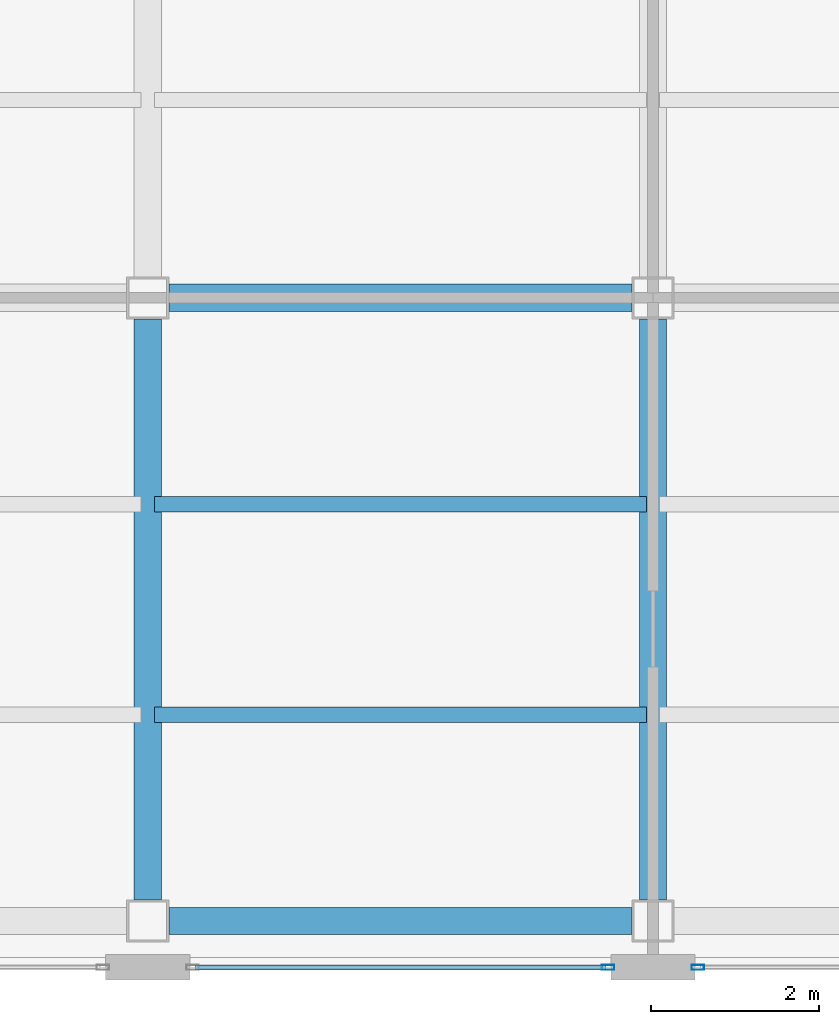
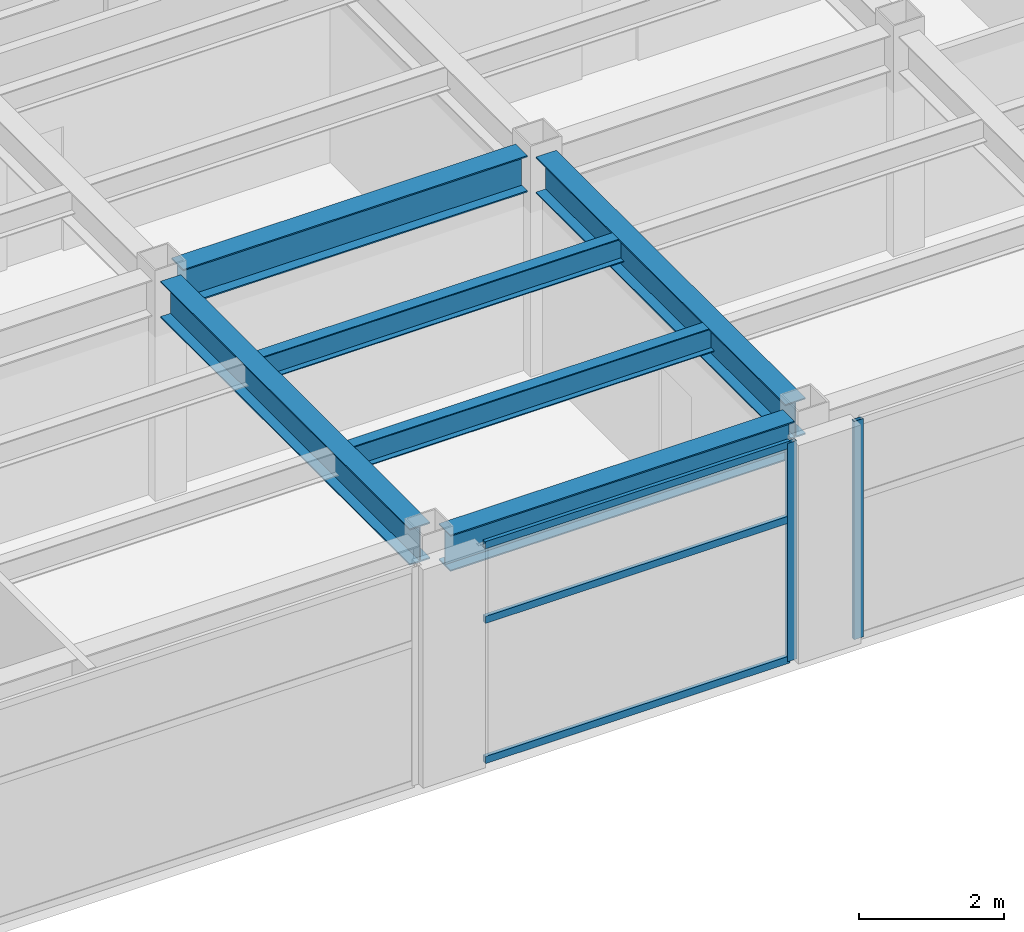
# One storey, part 5 of 15: 6 beams, 5 members, 2 elements without a shape of their own.
"""IFC4 building model written with IfcOpenShell, lengths in metres."""

from ifc_helpers import new_model, si_unit, direction, frame, origin, origin_2d, place, context, subcontext, project, spatial, hollow_rectangle, i_section, extrude, material, layer, layer_set, material_profile, profile_set, type_object, element, aggregate, save


model = new_model("IFC4")

# Units and contexts
model_context = context("Model", 3, precision=1e-05, world=origin(), true_north=direction((0.0, 1.0)))
body_context = subcontext(model_context, "Body", "Model", "MODEL_VIEW")
ifc_project = project(units=[si_unit("LENGTHUNIT", "METRE"), si_unit("AREAUNIT", "SQUARE_METRE"), si_unit("VOLUMEUNIT", "CUBIC_METRE"), si_unit("PLANEANGLEUNIT", "RADIAN"), si_unit("MASSUNIT", "GRAM", prefix="KILO")], contexts=[model_context])

# Site, building, storey
site_placement = place(None, origin())
site = spatial("IfcSite", under=ifc_project, at=site_placement, CompositionType="ELEMENT")
building_placement = place(site_placement, origin())
building = spatial("IfcBuilding", under=site, at=building_placement, Name="Mawjaban Terraces University", CompositionType="ELEMENT")
storey_placement = place(building_placement, frame((0.0, 0.0, 142.39990234375)))
storey = spatial("IfcBuildingStorey", under=building, at=storey_placement, Name="L34", CompositionType="ELEMENT", Elevation=142.39990234375)

# Beams
ifc_material_1 = material(Name="Steel ASTM A572 Grade 50", Category="steel")
ifc_material_profile_1 = material_profile(ifc_material_1, i_section(OverallWidth=0.324951171875, OverallDepth=0.615966796875, WebThickness=0.013916015625, FlangeThickness=0.021484375, at=origin_2d()), Name="W610X174")
ifc_profile_set_1 = profile_set([ifc_material_profile_1], Name="Steel ASTM A572 Grade 50")
beam_type_1 = type_object("IfcBeamType", Name="Beam_B_W610X174", PredefinedType="BEAM", material=ifc_profile_set_1)
for number, where, z_axis, x_axis, name in (
    (1, (46.25, 0.550048828125, 3.382080078125), (1.0, 0.0, 0.0), (0.0, 1.0, 0.0), "L34 Beam BM-L34-EW-02"),
    (2, (46.25, 7.949951171875, 3.382080078125), (1.0, 0.0, 0.0), (0.0, 1.0, 0.0), "L34 Beam BM-L34-EW-06"),
):
    element("IfcBeam", number, at=place(storey_placement, frame(where, z_axis=z_axis, x_axis=x_axis)), inside=storey, type_object=beam_type_1, Name=name, PredefinedType="BEAM", context=body_context, shape_type="SweptSolid", body=[
        extrude(i_section(OverallWidth=0.324951171875, OverallDepth=0.615966796875, WebThickness=0.013916015625, FlangeThickness=0.021484375, at=origin_2d()), origin(), (0.0, 0.0, 1.0), 5.5),
    ])
for number, where, z_axis, x_axis, name in (
    (3, (46.0, 0.800048828125, 3.382080078125), (0.0, 1.0, 0.0), (-1.0, 0.0, 0.0), "L34 Beam BM-L34-NS-12"),
    (4, (52.0, 0.800048828125, 3.382080078125), (0.0, 1.0, 0.0), (-1.0, 0.0, 0.0), "L34 Beam BM-L34-NS-14"),
):
    element("IfcBeam", number, at=place(storey_placement, frame(where, z_axis=z_axis, x_axis=x_axis)), inside=storey, type_object=beam_type_1, Name=name, PredefinedType="BEAM", context=body_context, shape_type="SweptSolid", body=[
        extrude(i_section(OverallWidth=0.324951171875, OverallDepth=0.615966796875, WebThickness=0.013916015625, FlangeThickness=0.021484375, at=origin_2d()), origin(), (0.0, 0.0, 1.0), 6.89990234375),
    ])
ifc_material_profile_2 = material_profile(ifc_material_1, i_section(OverallWidth=0.179931640625, OverallDepth=0.4130859375, WebThickness=0.009765625, FlangeThickness=0.01611328125, at=origin_2d()), Name="W410X74")
ifc_profile_set_2 = profile_set([ifc_material_profile_2], Name="Steel ASTM A572 Grade 50")
beam_type_2 = type_object("IfcBeamType", Name="Beam_J_W410X74", PredefinedType="JOIST", material=ifc_profile_set_2)
for number, where, z_axis, x_axis, name in (
    (5, (46.080078125, 3.0, 3.483154296875), (1.0, 0.0, 0.0), (0.0, 1.0, 0.0), "L34 Composite Joist JST-L34-02"),
    (6, (46.080078125, 5.5, 3.483154296875), (1.0, 0.0, 0.0), (0.0, 1.0, 0.0), "L34 Composite Joist JST-L34-06"),
):
    element("IfcBeam", number, at=place(storey_placement, frame(where, z_axis=z_axis, x_axis=x_axis)), inside=storey, type_object=beam_type_2, Name=name, PredefinedType="JOIST", context=body_context, shape_type="SweptSolid", body=[
        extrude(i_section(OverallWidth=0.179931640625, OverallDepth=0.4130859375, WebThickness=0.009765625, FlangeThickness=0.01611328125, at=origin_2d()), origin(), (0.0, 0.0, 1.0), 5.83984375),
    ])

# Curtain wall, member
ifc_material_2 = material(Name="Anodised aluminium 6063-T6 and solar-control low-E glass", Category="aluminium")
ifc_layer = layer(ifc_material_2, 0.1650390625)
ifc_layer_set = layer_set([ifc_layer], Name="Anodised aluminium 6063-T6 and solar-control low-E glass")
curtain_wall_type = type_object("IfcCurtainWallType", Name="CWSystem_04_EastWing", PredefinedType="NOTDEFINED", material=ifc_layer_set)
curtain_wall_1_placement = place(storey_placement, origin())
curtain_wall_1 = element("IfcCurtainWall", 7, at=curtain_wall_1_placement, inside=storey, type_object=curtain_wall_type, Name="L34 Curtain Wall CW-04 Run 1.3", PredefinedType="NOTDEFINED")
ifc_material_3 = material(Name="Anodised aluminium 6063-T6", Category="aluminium")
ifc_material_profile_3 = material_profile(ifc_material_3, hollow_rectangle(XDim=0.06005859375, YDim=0.14990234375, WallThickness=0.00390625, at=origin_2d()), Name="ALU150X60X4")
ifc_profile_set_3 = profile_set([ifc_material_profile_3], Name="Anodised aluminium 6063-T6")
member_type_1 = type_object("IfcMemberType", Name="Mullion_CW-04", PredefinedType="MULLION", material=ifc_profile_set_3)
member_1_placement = place(storey_placement, frame((51.467529296875, 0.0, 0.0), z_axis=(0.0, 0.0, 1.0), x_axis=(0.0, 1.0, 0.0)))
member_1 = element("IfcMember", 8, at=member_1_placement, type_object=member_type_1, Name="CW-04 mullion 2", PredefinedType="MULLION", context=body_context, shape_type="SweptSolid", body=[
    extrude(hollow_rectangle(XDim=0.06005859375, YDim=0.14990234375, WallThickness=0.00390625, at=origin_2d()), origin(), (0.0, 0.0, 1.0), 3.690185546875),
])

curtain_wall_2_placement = place(storey_placement, origin())
curtain_wall_2 = element("IfcCurtainWall", 9, at=curtain_wall_2_placement, inside=storey, type_object=curtain_wall_type, Name="L34 Curtain Wall CW-04 Run 1.4", PredefinedType="NOTDEFINED")
member_2_placement = place(storey_placement, frame((52.532470703125, 0.0, 0.0), z_axis=(0.0, 0.0, 1.0), x_axis=(0.0, 1.0, 0.0)))
member_2 = element("IfcMember", 10, at=member_2_placement, type_object=member_type_1, Name="CW-04 mullion 1", PredefinedType="MULLION", context=body_context, shape_type="SweptSolid", body=[
    extrude(hollow_rectangle(XDim=0.06005859375, YDim=0.14990234375, WallThickness=0.00390625, at=origin_2d()), origin(), (0.0, 0.0, 1.0), 3.690185546875),
])
aggregate(curtain_wall_2, [member_2])

# Member
ifc_material_profile_4 = material_profile(ifc_material_3, hollow_rectangle(XDim=0.06005859375, YDim=0.1201171875, WallThickness=0.00341796875, at=origin_2d()), Name="ALU120X60X3.5")
ifc_profile_set_4 = profile_set([ifc_material_profile_4], Name="Anodised aluminium 6063-T6")
member_type_2 = type_object("IfcMemberType", Name="Transom_CW-04", PredefinedType="NOTDEFINED", material=ifc_profile_set_4)
member_3_placement = place(storey_placement, frame((46.56494140625, 0.0, 0.030029296875), z_axis=(1.0, 0.0, 0.0), x_axis=(0.0, 1.0, 0.0)))
member_3 = element("IfcMember", 11, at=member_3_placement, type_object=member_type_2, Name="CW-04 transom 1.1", ObjectType="TRANSOM", PredefinedType="USERDEFINED", context=body_context, shape_type="SweptSolid", body=[
    extrude(hollow_rectangle(XDim=0.06005859375, YDim=0.1201171875, WallThickness=0.00341796875, at=origin_2d()), origin(), (0.0, 0.0, 1.0), 4.8701171875),
])

member_4_placement = place(storey_placement, frame((46.56494140625, 0.0, 2.398193359375), z_axis=(1.0, 0.0, 0.0), x_axis=(0.0, 1.0, 0.0)))
member_4 = element("IfcMember", 12, at=member_4_placement, type_object=member_type_2, Name="CW-04 transom 1.2", ObjectType="TRANSOM", PredefinedType="USERDEFINED", context=body_context, shape_type="SweptSolid", body=[
    extrude(hollow_rectangle(XDim=0.06005859375, YDim=0.1201171875, WallThickness=0.00341796875, at=origin_2d()), origin(), (0.0, 0.0, 1.0), 4.8701171875),
])

member_5_placement = place(storey_placement, frame((46.56494140625, 0.0, 3.66015625), z_axis=(1.0, 0.0, 0.0), x_axis=(0.0, 1.0, 0.0)))
member_5 = element("IfcMember", 13, at=member_5_placement, type_object=member_type_2, Name="CW-04 transom 1.3", ObjectType="TRANSOM", PredefinedType="USERDEFINED", context=body_context, shape_type="SweptSolid", body=[
    extrude(hollow_rectangle(XDim=0.06005859375, YDim=0.1201171875, WallThickness=0.00341796875, at=origin_2d()), origin(), (0.0, 0.0, 1.0), 4.8701171875),
])

aggregate(curtain_wall_1, [member_1, member_3, member_4, member_5])

save(model, "model.ifc")
